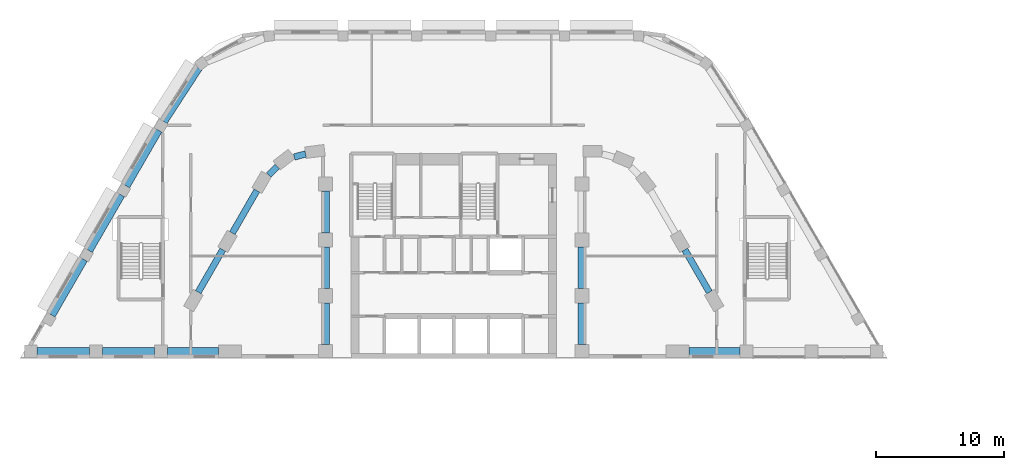
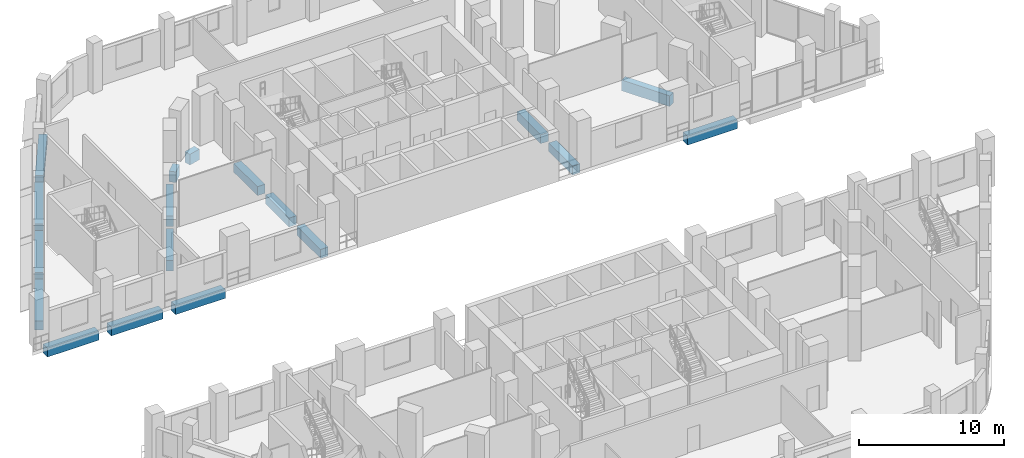
# One storey, part 3 of 45: 18 beams.
"""IFC4 building model written with IfcOpenShell, lengths in metres."""

from ifc_helpers import new_model, si_unit, direction, frame, origin, origin_2d, place, context, subcontext, project, spatial, rectangle, extrude, material, material_profile, profile_set, type_object, element, save


model = new_model("IFC4")

# Units and contexts
model_context = context("Model", 3, precision=1e-05, world=origin(), true_north=direction((0.0, 1.0)))
body_context = subcontext(model_context, "Body", "Model", "MODEL_VIEW")
ifc_project = project(units=[si_unit("LENGTHUNIT", "METRE"), si_unit("AREAUNIT", "SQUARE_METRE"), si_unit("VOLUMEUNIT", "CUBIC_METRE"), si_unit("PLANEANGLEUNIT", "RADIAN"), si_unit("MASSUNIT", "GRAM", prefix="KILO")], contexts=[model_context])

# Site, building, storey
site_placement = place(None, origin())
site = spatial("IfcSite", under=ifc_project, at=site_placement, CompositionType="ELEMENT")
building_placement = place(site_placement, origin())
building = spatial("IfcBuilding", under=site, at=building_placement, Name="Nakaniwa Court", CompositionType="ELEMENT")
storey_placement = place(building_placement, frame((0.0, 0.0, 11.39990234375)))
storey = spatial("IfcBuildingStorey", under=building, at=storey_placement, Name="L02", CompositionType="ELEMENT", Elevation=11.39990234375)

# Beams
ifc_material = material(Name="Concrete C100/115", Category="concrete")
ifc_material_profile_1 = material_profile(ifc_material, rectangle(XDim=0.5, YDim=0.89990234375, at=origin_2d()), Name="Concrete C100/115 RC 500x900 spandrel beam")
ifc_profile_set_1 = profile_set([ifc_material_profile_1], Name="Concrete C100/115")
beam_type_1 = type_object("IfcBeamType", Name="Concrete C100/115 RC 500x900 spandrel beam", PredefinedType="BEAM", material=ifc_profile_set_1)
beam_1_placement = place(storey_placement, frame((68.444580078125, 103.35546875, -0.75), z_axis=(-0.966287893493, -0.25746399144, 0.0), x_axis=(0.25746399144, -0.966287893493, 0.0)))
element("IfcBeam", 1, at=beam_1_placement, inside=storey, type_object=beam_type_1, Name="SPANDREL BEAM", PredefinedType="BEAM", context=body_context, shape_type="SweptSolid", body=[
    extrude(rectangle(XDim=0.5, YDim=0.89990234375, at=origin_2d()), origin(), (0.0, 0.0, 1.0), 0.91796875),
])
beam_2_placement = place(storey_placement, frame((66.238525390625, 102.374267578125, -0.75), z_axis=(-0.706081618928, -0.708130459317, 0.0), x_axis=(0.708130459317, -0.706081618928, 0.0)))
element("IfcBeam", 2, at=beam_2_placement, inside=storey, type_object=beam_type_1, Name="SPANDREL BEAM", PredefinedType="BEAM", context=body_context, shape_type="SweptSolid", body=[
    extrude(rectangle(XDim=0.5, YDim=0.89990234375, at=origin_2d()), origin(), (0.0, 0.0, 1.0), 0.953369140625),
])
beam_3_placement = place(storey_placement, frame((64.642578125, 100.5, -0.75), z_axis=(-0.500009674092, -0.866019818373, 0.0), x_axis=(0.866019818373, -0.500009674092, 0.0)))
element("IfcBeam", 3, at=beam_3_placement, inside=storey, type_object=beam_type_1, Name="SPANDREL BEAM", PredefinedType="BEAM", context=body_context, shape_type="SweptSolid", body=[
    extrude(rectangle(XDim=0.5, YDim=0.89990234375, at=origin_2d()), origin(), (0.0, 0.0, 1.0), 3.826171875),
])
for number, where, z_axis, x_axis, name in (
    (4, (61.9794921875, 95.8876953125, -0.75), (-0.499961815444, -0.866047448526, 0.0), (0.866047448526, -0.499961815444, 0.0), "SPANDREL BEAM"),
    (5, (99.933349609375, 92.57421875, -0.75), (-0.499961815444, 0.866047448526, 0.0), (-0.866047448526, -0.499961815444, 0.0), "SPANDREL BEAM"),
):
    element("IfcBeam", number, at=place(storey_placement, frame(where, z_axis=z_axis, x_axis=x_axis)), inside=storey, type_object=beam_type_1, Name=name, PredefinedType="BEAM", context=body_context, shape_type="SweptSolid", body=[
        extrude(rectangle(XDim=0.5, YDim=0.89990234375, at=origin_2d()), origin(), (0.0, 0.0, 1.0), 3.825927734375),
    ])
ifc_material_profile_2 = material_profile(ifc_material, rectangle(XDim=0.60009765625, YDim=0.75, at=origin_2d()), Name="Concrete C100/115 RC 600x750 ring beam")
ifc_profile_set_2 = profile_set([ifc_material_profile_2], Name="Concrete C100/115")
beam_type_2 = type_object("IfcBeamType", Name="Concrete C100/115 RC 600x750 ring beam", PredefinedType="BEAM", material=ifc_profile_set_2)
for number, where, z_axis, x_axis, name in (
    (6, (90.0, 88.5, -0.6748046875), (0.0, 1.0, 0.0), (-1.0, 0.0, 0.0), "RING BEAM"),
    (7, (90.0, 92.85009765625, -0.6748046875), (0.0, 1.0, 0.0), (-1.0, 0.0, 0.0), "RING BEAM"),
    (8, (70.0, 100.449951171875, -0.6748046875), (0.0, -1.0, 0.0), (1.0, 0.0, 0.0), "RING BEAM"),
    (9, (70.0, 96.10009765625, -0.6748046875), (0.0, -1.0, 0.0), (1.0, 0.0, 0.0), "RING BEAM"),
    (10, (70.0, 91.75, -0.6748046875), (0.0, -1.0, 0.0), (1.0, 0.0, 0.0), "RING BEAM"),
):
    element("IfcBeam", number, at=place(storey_placement, frame(where, z_axis=z_axis, x_axis=x_axis)), inside=storey, type_object=beam_type_2, Name=name, PredefinedType="BEAM", context=body_context, shape_type="SweptSolid", body=[
        extrude(rectangle(XDim=0.60009765625, YDim=0.75, at=origin_2d()), origin(), (0.0, 0.0, 1.0), 3.25),
    ])
beam_4_placement = place(storey_placement, frame((60.096435546875, 110.05517578125, -0.6748046875), z_axis=(-0.545297150408, -0.838242815512, 0.0), x_axis=(0.838242815512, -0.545297150408, 0.0)))
element("IfcBeam", 11, at=beam_4_placement, inside=storey, type_object=beam_type_2, Name="RING BEAM", PredefinedType="BEAM", context=body_context, shape_type="SweptSolid", body=[
    extrude(rectangle(XDim=0.60009765625, YDim=0.75, at=origin_2d()), origin(), (0.0, 0.0, 1.0), 4.9736328125),
])
for number, where, z_axis, x_axis, name in (
    (12, (56.9658203125, 105.20361328125, -0.6748046875), (-0.499980823911, -0.866036474822, 0.0), (0.866036474822, -0.499980823911, 0.0), "RING BEAM"),
    (13, (54.057373046875, 100.166259765625, -0.6748046875), (-0.499980823911, -0.866036474822, 0.0), (0.866036474822, -0.499980823911, 0.0), "RING BEAM"),
    (14, (51.149169921875, 95.12890625, -0.6748046875), (-0.500017322015, -0.866015402684, 0.0), (0.866015402684, -0.500017322015, 0.0), "RING BEAM"),
):
    element("IfcBeam", number, at=place(storey_placement, frame(where, z_axis=z_axis, x_axis=x_axis)), inside=storey, type_object=beam_type_2, Name=name, PredefinedType="BEAM", context=body_context, shape_type="SweptSolid", body=[
        extrude(rectangle(XDim=0.60009765625, YDim=0.75, at=origin_2d()), origin(), (0.0, 0.0, 1.0), 5.016845703125),
    ])
beam_5_placement = place(storey_placement, frame((47.50390625, 87.949951171875, -0.6748046875), z_axis=(1.0, 0.0, 0.0), x_axis=(0.0, 1.0, 0.0)))
element("IfcBeam", 15, at=beam_5_placement, inside=storey, type_object=beam_type_2, Name="RING BEAM", PredefinedType="BEAM", context=body_context, shape_type="SweptSolid", body=[
    extrude(rectangle(XDim=0.60009765625, YDim=0.75, at=origin_2d()), origin(), (0.0, 0.0, 1.0), 4.087158203125),
])
beam_6_placement = place(storey_placement, frame((52.591064453125, 87.949951171875, -0.6748046875), z_axis=(1.0, 0.0, 0.0), x_axis=(0.0, 1.0, 0.0)))
element("IfcBeam", 16, at=beam_6_placement, inside=storey, type_object=beam_type_2, Name="RING BEAM", PredefinedType="BEAM", context=body_context, shape_type="SweptSolid", body=[
    extrude(rectangle(XDim=0.60009765625, YDim=0.75, at=origin_2d()), origin(), (0.0, 0.0, 1.0), 4.0859375),
])
for number, where, z_axis, x_axis, name in (
    (17, (57.677001953125, 87.949951171875, -0.6748046875), (1.0, 0.0, 0.0), (0.0, 1.0, 0.0), "RING BEAM"),
    (18, (98.35791015625, 87.949951171875, -0.6748046875), (1.0, 0.0, 0.0), (0.0, 1.0, 0.0), "RING BEAM"),
):
    element("IfcBeam", number, at=place(storey_placement, frame(where, z_axis=z_axis, x_axis=x_axis)), inside=storey, type_object=beam_type_2, Name=name, PredefinedType="BEAM", context=body_context, shape_type="SweptSolid", body=[
        extrude(rectangle(XDim=0.60009765625, YDim=0.75, at=origin_2d()), origin(), (0.0, 0.0, 1.0), 3.965087890625),
    ])

save(model, "model.ifc")
